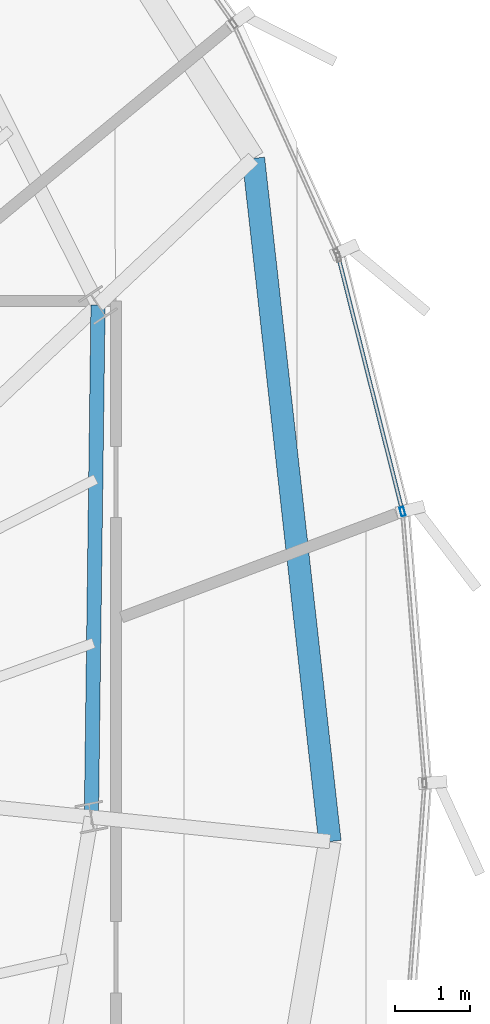
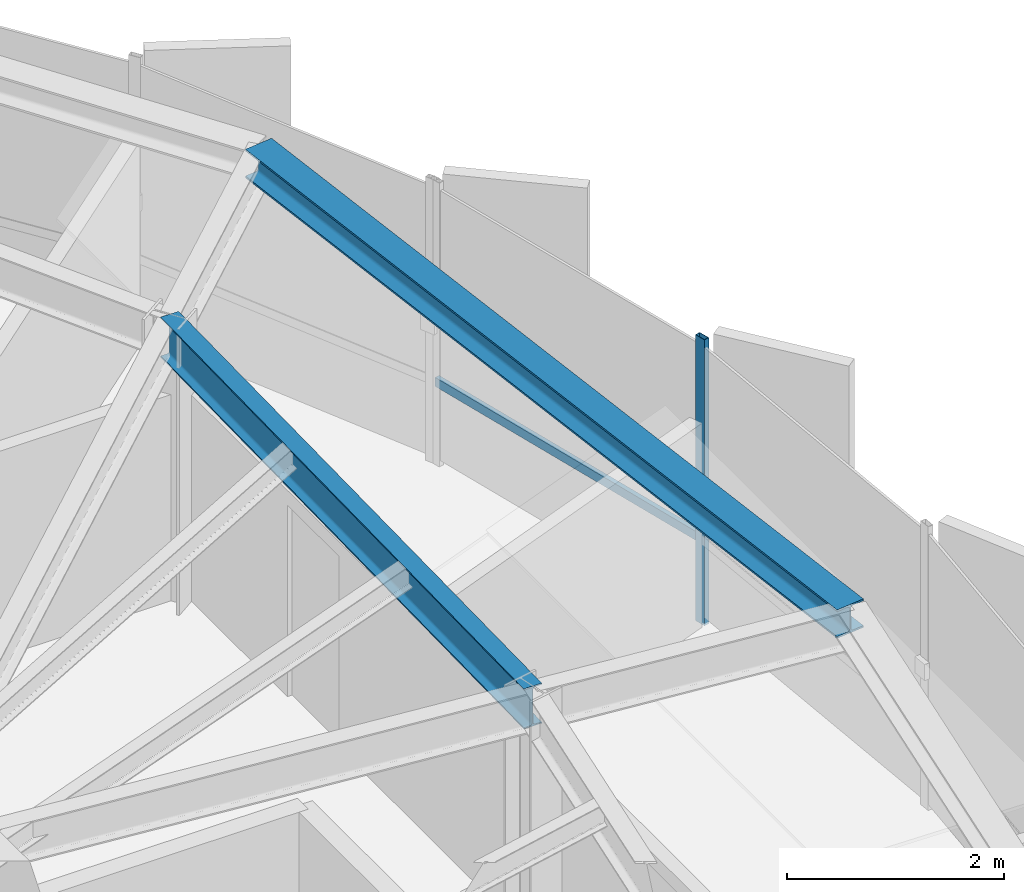
# One storey, part 16 of 30: 2 beams, 2 members, 1 element without a shape of its own.
"""IFC4 building model written with IfcOpenShell, lengths in metres."""

from ifc_helpers import new_model, si_unit, direction, frame, origin, origin_2d, place, context, subcontext, project, spatial, hollow_rectangle, i_section, extrude, source, transform, mapped, material, layer, layer_set, material_profile, profile_set, type_object, element, aggregate, save


model = new_model("IFC4")

# Units and contexts
model_context = context("Model", 3, precision=1e-05, world=origin(), true_north=direction((0.0, 1.0)))
body_context = subcontext(model_context, "Body", "Model", "MODEL_VIEW")
ifc_project = project(units=[si_unit("LENGTHUNIT", "METRE"), si_unit("AREAUNIT", "SQUARE_METRE"), si_unit("VOLUMEUNIT", "CUBIC_METRE"), si_unit("PLANEANGLEUNIT", "RADIAN"), si_unit("MASSUNIT", "GRAM", prefix="KILO"), si_unit("THERMODYNAMICTEMPERATUREUNIT", "KELVIN")], contexts=[model_context])

# Site, building, storey
site_placement = place(None, origin())
site = spatial("IfcSite", under=ifc_project, at=site_placement, CompositionType="ELEMENT")
building_placement = place(site_placement, origin())
building = spatial("IfcBuilding", under=site, at=building_placement, Name="Kethvar Cultural Tower", CompositionType="ELEMENT")
storey_placement = place(building_placement, frame((0.0, 0.0, 293.949951171875)))
storey = spatial("IfcBuildingStorey", under=building, at=storey_placement, Name="L78", CompositionType="ELEMENT", Elevation=293.949951171875)

# Beams
ifc_material_1 = material(Name="Steel S355J2", Category="steel")
ifc_material_profile_1 = material_profile(ifc_material_1, i_section(OverallWidth=0.18994140625, OverallDepth=0.449951171875, WebThickness=0.009521484375, FlangeThickness=0.0146484375, FilletRadius=0.02099609375, at=origin_2d()), Name="Steel S355J2 — IPE450")
ifc_profile_set_1 = profile_set([ifc_material_profile_1], Name="Steel S355J2 — IPE450")
beam_type_1 = type_object("IfcBeamType", Name="BM-IPE450", PredefinedType="BEAM", material=ifc_profile_set_1)
shared_shape_1 = source(origin(), body_context, "Body", "SweptSolid", [
    extrude(i_section(OverallWidth=0.18994140625, OverallDepth=0.449951171875, WebThickness=0.009521484375, FlangeThickness=0.0146484375, FilletRadius=0.02099609375, at=origin_2d()), origin(), (0.0, 0.0, 1.0), 6.834716796875),
])
beam_1_placement = place(storey_placement, frame((61.237060546875, 30.671630859375, 2.983154296875), z_axis=(0.012966437445, 0.999915932216, 0.0), x_axis=(-0.999915932216, 0.012966437445, 0.0)))
element("IfcBeam", 1, at=beam_1_placement, inside=storey, type_object=beam_type_1, Name="L78 Column Ring Tie Beam CR-01", PredefinedType="BEAM", context=body_context, shape_type="MappedRepresentation", body=[
    mapped(shared_shape_1, transform((0.0, 0.0, 0.0), scale=1.0)),
])
ifc_material_profile_2 = material_profile(ifc_material_1, i_section(OverallWidth=0.300048828125, OverallDepth=0.320068359375, WebThickness=0.011474609375, FlangeThickness=0.0205078125, FilletRadius=0.027099609375, at=origin_2d()), Name="Steel S355J2 — HEB320")
ifc_profile_set_2 = profile_set([ifc_material_profile_2], Name="Steel S355J2 — HEB320")
beam_type_2 = type_object("IfcBeamType", Name="BM-SP320", PredefinedType="SPANDREL", material=ifc_profile_set_2)
shared_shape_2 = source(origin(), body_context, "Body", "SweptSolid", [
    extrude(i_section(OverallWidth=0.300048828125, OverallDepth=0.320068359375, WebThickness=0.011474609375, FlangeThickness=0.0205078125, FilletRadius=0.027099609375, at=origin_2d()), origin(), (0.0, 0.0, 1.0), 9.17578125),
])
beam_2_placement = place(storey_placement, frame((64.42041015625, 30.34521484375, 3.048095703125), z_axis=(-0.111217045517, 0.993796140457, 0.0), x_axis=(-0.993796140457, -0.111217045517, 0.0)))
element("IfcBeam", 2, at=beam_2_placement, inside=storey, type_object=beam_type_2, Name="L78 Perimeter Spandrel Beam SP-01", PredefinedType="SPANDREL", context=body_context, shape_type="MappedRepresentation", body=[
    mapped(shared_shape_2, transform((0.0, 0.0, 0.0), scale=1.0)),
])

# Curtain wall, members
ifc_material_2 = material(Name="Aluminium 6063-T6", Category="aluminium")
ifc_layer = layer(ifc_material_2, 0.179931640625, Name="Aluminium 6063-T6", Category="aluminium")
ifc_layer_set = layer_set([ifc_layer], Name="Aluminium 6063-T6 (180 mm)")
curtain_wall_type = type_object("IfcCurtainWallType", Name="CW-SYS-05-Z56", PredefinedType="NOTDEFINED", material=ifc_layer_set)
curtain_wall_placement = place(storey_placement, origin())
curtain_wall = element("IfcCurtainWall", 3, at=curtain_wall_placement, inside=storey, type_object=curtain_wall_type, Name="L78 Curtain Wall Run 06", PredefinedType="NOTDEFINED")
ifc_material_profile_3 = material_profile(ifc_material_2, hollow_rectangle(XDim=0.054931640625, YDim=0.1201171875, WallThickness=0.00390625, at=origin_2d()), Name="Aluminium 6063-T6 — RHS120x55x4")
ifc_profile_set_3 = profile_set([ifc_material_profile_3], Name="Aluminium 6063-T6 — RHS120x55x4")
member_type_1 = type_object("IfcMemberType", Name="CW-SYS-05-Z56-MUL", PredefinedType="MULLION", material=ifc_profile_set_3)
shared_shape_3 = source(origin(), body_context, "Body", "SweptSolid", [
    extrude(hollow_rectangle(XDim=0.054931640625, YDim=0.1201171875, WallThickness=0.00390625, at=origin_2d()), origin(), (0.0, 0.0, 1.0), 3.2099609375),
])
member_1_placement = place(storey_placement, frame((65.3896484375, 34.750244140625, 0.0), z_axis=(0.0, 0.0, 1.0), x_axis=(-0.969680381389, -0.24437667227, 0.0)))
member_1 = element("IfcMember", 4, at=member_1_placement, type_object=member_type_1, Name="CW-L78-R06 Mullion 6", PredefinedType="MULLION", context=body_context, shape_type="MappedRepresentation", body=[
    mapped(shared_shape_3, transform((0.0, 0.0, 0.0), scale=1.0)),
])
ifc_material_profile_4 = material_profile(ifc_material_2, hollow_rectangle(XDim=0.050048828125, YDim=0.10009765625, WallThickness=0.00390625, at=origin_2d()), Name="Aluminium 6063-T6 — RHS100x50x4")
ifc_profile_set_4 = profile_set([ifc_material_profile_4], Name="Aluminium 6063-T6 — RHS100x50x4")
member_type_2 = type_object("IfcMemberType", Name="CW-SYS-05-Z56-TRN", PredefinedType="USERDEFINED", material=ifc_profile_set_4)
shared_shape_4 = source(origin(), body_context, "Body", "SweptSolid", [
    extrude(hollow_rectangle(XDim=0.050048828125, YDim=0.10009765625, WallThickness=0.00390625, at=origin_2d()), origin(), (0.0, 0.0, 1.0), 3.45849609375),
])
member_2_placement = place(storey_placement, frame((65.380126953125, 34.78857421875, 0.949951171875), z_axis=(-0.244395531815, 0.969675628253, 0.0), x_axis=(-0.969675628253, -0.244395531815, 0.0)))
member_2 = element("IfcMember", 5, at=member_2_placement, type_object=member_type_2, Name="CW-L78-R06 Transom 6", ObjectType="TRANSOM", PredefinedType="USERDEFINED", context=body_context, shape_type="MappedRepresentation", body=[
    mapped(shared_shape_4, transform((0.0, 0.0, 0.0), scale=1.0)),
])
aggregate(curtain_wall, [member_1, member_2])

save(model, "model.ifc")
